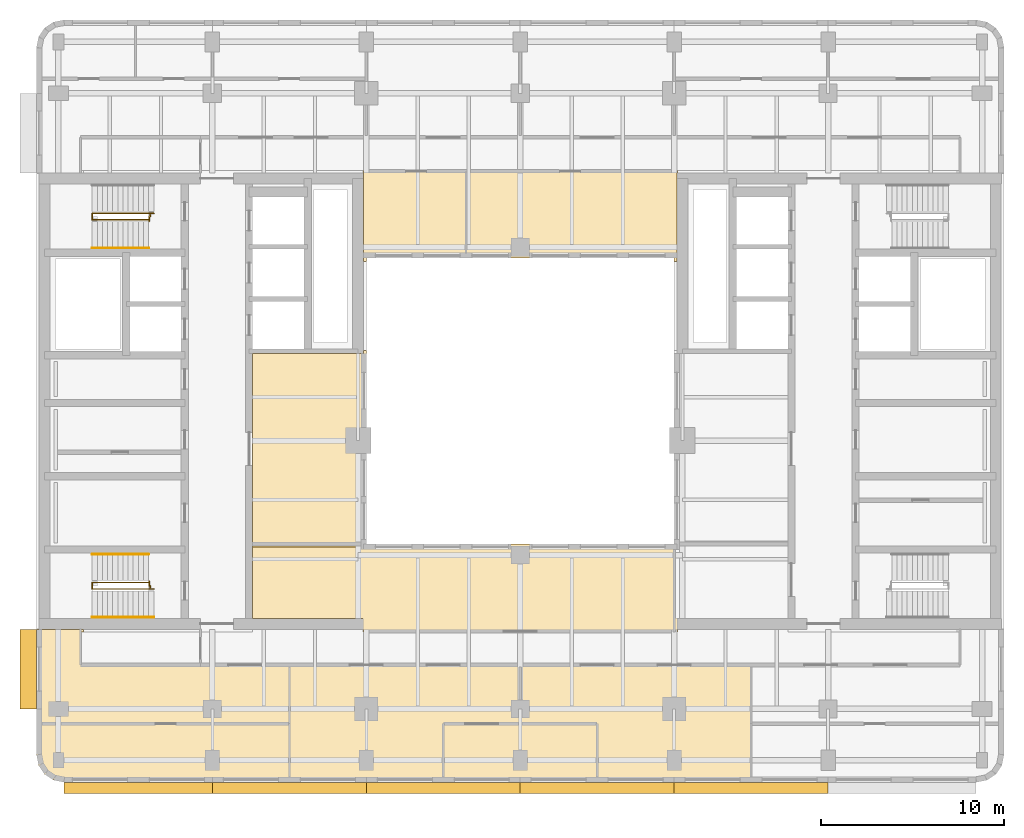
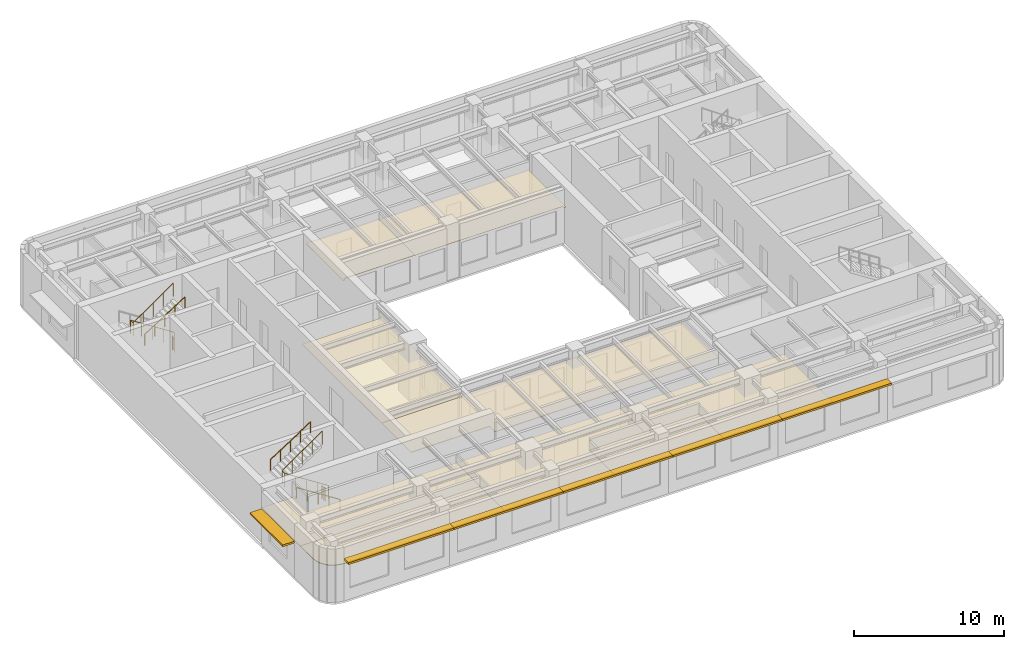
# One storey, part 9 of 11: 9 coverings, 7 railings, 6 shading devices.
"""IFC4 building model written with IfcOpenShell, lengths in metres."""

import ifcopenshell
import ifcopenshell.guid

model = None  # the IFC model being written
_history = None  # IfcOwnerHistory: only IFC2X3 demands one
_inside = {}  # id of a spatial element -> (the spatial element, [elements in it])
_under = {}  # id of a project, library or spatial element -> (it, [spatial elements below it])
_declared = {}  # id of a project -> (the project, [libraries it declares])
_typed = {}  # id of a type object -> (the type object, [elements of that type])
_made_of = {}  # id of a material, layer set ... -> (it, [elements and type objects made of it])


def new_model(schema):
    """Start an empty IFC model of exactly this schema.

    Asked for "IFC4X3", IfcOpenShell would pick the latest addendum, in which some entities
    have other attributes; the version numbers below select the first issue.
    IFC2X3 requires an IfcOwnerHistory on every rooted entity: one is made here for all.
    """
    global model, _history
    if schema == "IFC4X3":
        model = ifcopenshell.file(schema_version=(4, 3, 0, 0))
    else:
        model = ifcopenshell.file(schema=schema)
    _inside.clear()
    _under.clear()
    _declared.clear()
    _typed.clear()
    _made_of.clear()
    _history = None
    if model.schema == "IFC2X3":
        org = make("IfcOrganization", Name="unknown")
        user = make(
            "IfcPersonAndOrganization",
            ThePerson=make("IfcPerson", FamilyName="unknown"),
            TheOrganization=org,
        )
        app = make(
            "IfcApplication",
            ApplicationDeveloper=org,
            Version="unknown",
            ApplicationFullName="unknown",
            ApplicationIdentifier="unknown",
        )
        _history = make(
            "IfcOwnerHistory",
            OwningUser=user,
            OwningApplication=app,
            ChangeAction="ADDED",
            CreationDate=0,
        )
    return model


def make(cls, **values):
    """One entity of the class cls with the attributes given. An attribute that is None is left unset."""
    return model.create_entity(
        cls, **{name: value for name, value in values.items() if value is not None}
    )


def rooted(cls, **values):
    """An entity with a GlobalId (a new one), such as an element, a storey or a relation."""
    return make(cls, GlobalId=ifcopenshell.guid.new(), OwnerHistory=_history, **values)


def si_unit(unit_type, name, prefix=None):
    """IfcSIUnit, for example si_unit("LENGTHUNIT", "METRE", prefix="MILLI")."""
    return make("IfcSIUnit", UnitType=unit_type, Prefix=prefix, Name=name)


def assignment(units):
    """IfcUnitAssignment: the units of a project."""
    return None if units is None else make("IfcUnitAssignment", Units=units)


def point(xyz):
    """IfcCartesianPoint."""
    return None if xyz is None else make("IfcCartesianPoint", Coordinates=xyz)


def direction(xyz):
    """IfcDirection."""
    return None if xyz is None else make("IfcDirection", DirectionRatios=xyz)


def frame(location, z_axis=None, x_axis=None):
    """IfcAxis2Placement3D, a coordinate frame: its origin and axes. An axis left out is left unset."""
    return make(
        "IfcAxis2Placement3D",
        Location=point(location),
        Axis=direction(z_axis),
        RefDirection=direction(x_axis),
    )


def frame_2d(location, x_axis=None):
    """IfcAxis2Placement2D, a coordinate frame in the plane: its origin and x axis."""
    return make(
        "IfcAxis2Placement2D", Location=point(location), RefDirection=direction(x_axis)
    )


def origin():
    """The frame at (0, 0, 0) with its axes left unset."""
    return frame((0.0, 0.0, 0.0))


def origin_2d():
    """The frame at (0, 0) in the plane with its x axis left unset."""
    return frame_2d((0.0, 0.0))


def place(relative_to, where):
    """IfcLocalPlacement: puts the frame where relative to a parent placement (None: the world)."""
    return make(
        "IfcLocalPlacement", PlacementRelTo=relative_to, RelativePlacement=where
    )


def context(
    kind, dimensions, precision=None, world=None, true_north=None, identifier=None
):
    """IfcGeometricRepresentationContext, for example the 3D "Model" context."""
    return make(
        "IfcGeometricRepresentationContext",
        ContextIdentifier=identifier,
        ContextType=kind,
        CoordinateSpaceDimension=dimensions,
        Precision=precision,
        WorldCoordinateSystem=world,
        TrueNorth=true_north,
    )


def subcontext(parent, identifier, kind, view, scale=None):
    """IfcGeometricRepresentationSubContext, for example "Body" below "Model"."""
    return make(
        "IfcGeometricRepresentationSubContext",
        ContextIdentifier=identifier,
        ContextType=kind,
        ParentContext=parent,
        TargetScale=scale,
        TargetView=view,
    )


def project(units=None, contexts=None):
    """IfcProject with its units and contexts."""
    return rooted(
        "IfcProject",
        Name="project",
        RepresentationContexts=contexts,
        UnitsInContext=assignment(units),
    )


def spatial(cls, under=None, at=None, **own):
    """A site, building, storey or space (cls), placed at a placement, below another one or the project."""
    s = rooted(cls, ObjectPlacement=at, **own)
    if under is not None:
        _under.setdefault(under.id(), (under, []))[1].append(s)
    return s


def polyline(points):
    """IfcPolyline through the points."""
    return make("IfcPolyline", Points=[point(p) for p in points])


def profile(cls, at=None, kind="AREA", **sizes):
    """A parametric profile (cls). Its sizes go by their IFC names, for example OverallWidth=200.0."""
    return make(cls, ProfileType=kind, Position=at, **sizes)


def rectangle(**sizes):
    """IfcRectangleProfileDef."""
    return profile("IfcRectangleProfileDef", **sizes)


def circle(**sizes):
    """IfcCircleProfileDef."""
    return profile("IfcCircleProfileDef", **sizes)


def outline(outer, holes=None, kind="AREA"):
    """IfcArbitraryClosedProfileDef: a profile drawn as a closed curve; with holes, ...WithVoids."""
    if holes is None:
        return make("IfcArbitraryClosedProfileDef", ProfileType=kind, OuterCurve=outer)
    return make(
        "IfcArbitraryProfileDefWithVoids",
        ProfileType=kind,
        OuterCurve=outer,
        InnerCurves=holes,
    )


def extrude(swept, where, along, depth):
    """IfcExtrudedAreaSolid: the profile swept, set in the frame where, extruded along a direction by depth."""
    return make(
        "IfcExtrudedAreaSolid",
        SweptArea=swept,
        Position=where,
        ExtrudedDirection=direction(along),
        Depth=depth,
    )


def shape(context_of_items, identifier, shape_type, items):
    """IfcShapeRepresentation: the items that make up one representation, for example the "Body"."""
    return make(
        "IfcShapeRepresentation",
        ContextOfItems=context_of_items,
        RepresentationIdentifier=identifier,
        RepresentationType=shape_type,
        Items=items,
    )


def material(Name=None, Category=None):
    """IfcMaterial."""
    return make("IfcMaterial", Name=Name, Category=Category)


def layer(
    of_material, thickness, ventilated=None, Name=None, Category=None, Priority=None
):
    """IfcMaterialLayer: one layer of a wall or slab, of a material (None: an air gap)."""
    return make(
        "IfcMaterialLayer",
        Material=of_material,
        LayerThickness=thickness,
        IsVentilated=ventilated,
        Name=Name,
        Category=Category,
        Priority=Priority,
    )


def layer_set(layers, Name=None):
    """IfcMaterialLayerSet."""
    return make("IfcMaterialLayerSet", MaterialLayers=layers, LayerSetName=Name)


def made_of(thing, what):
    """Note that an element or type object is made of a material, layer set ...; save() writes the relation."""
    if what is not None:
        _made_of.setdefault(what.id(), (what, []))[1].append(thing)
    return thing


def type_object(cls, material=None, **own):
    """A type object (cls), such as IfcWallType, which elements share."""
    return made_of(rooted(cls, **own), material)


def element(
    cls,
    number,
    at=None,
    inside=None,
    cuts=None,
    type_object=None,
    material=None,
    context=None,
    identifier="Body",
    shape_type=None,
    held_by="IfcProductDefinitionShape",
    body=None,
    shapes=None,
    **own,
):
    """One element of the class cls, such as IfcWall. Its Tag is "e" and its number.

    at: its placement. inside: the storey or other place that contains it. cuts: it is an
    opening in that element (IfcRelVoidsElement). A single representation is given by context,
    identifier, shape_type and body (its items); several are given by shapes. held_by: the class
    of the entity that holds the representations. save() writes the other relations.
    """
    e = rooted(cls, Tag="e%d" % number, ObjectPlacement=at, **own)
    if body is not None:
        shapes = [shape(context, identifier, shape_type, body)]
    if shapes is not None:
        e.Representation = make(held_by, Representations=shapes)
    if inside is not None:
        _inside.setdefault(inside.id(), (inside, []))[1].append(e)
    if cuts is not None:
        rooted(
            "IfcRelVoidsElement", RelatingBuildingElement=cuts, RelatedOpeningElement=e
        )
    if type_object is not None:
        _typed.setdefault(type_object.id(), (type_object, []))[1].append(e)
    return made_of(e, material)


def aggregate(whole, parts):
    """IfcRelAggregates: a whole, such as a stair, and the parts it consists of."""
    return rooted("IfcRelAggregates", RelatingObject=whole, RelatedObjects=parts)


def save(model, path):
    """Write the relations noted so far, then the file.

    IfcRelAggregates (storeys below a building ...), IfcRelContainedInSpatialStructure (elements
    in a storey), IfcRelDefinesByType, IfcRelAssociatesMaterial and IfcRelDeclares: one each for
    every whole, place, type object, material and project.
    """
    for whole, parts in _under.values():
        aggregate(whole, parts)
    for where, things in _inside.values():
        rooted(
            "IfcRelContainedInSpatialStructure",
            RelatedElements=things,
            RelatingStructure=where,
        )
    for kind, things in _typed.values():
        rooted("IfcRelDefinesByType", RelatedObjects=things, RelatingType=kind)
    for what, things in _made_of.values():
        rooted("IfcRelAssociatesMaterial", RelatedObjects=things, RelatingMaterial=what)
    for by, libraries in _declared.values():
        rooted("IfcRelDeclares", RelatingContext=by, RelatedDefinitions=libraries)
    model.write(path)


model = new_model("IFC4")

# Units and contexts
model_context = context("Model", 3, precision=1e-05, world=origin(), true_north=direction((0.0, 1.0)))
body_context = subcontext(model_context, "Body", "Model", "MODEL_VIEW")
ifc_project = project(units=[si_unit("LENGTHUNIT", "METRE"), si_unit("AREAUNIT", "SQUARE_METRE"), si_unit("VOLUMEUNIT", "CUBIC_METRE"), si_unit("PLANEANGLEUNIT", "RADIAN"), si_unit("MASSUNIT", "GRAM", prefix="KILO")], contexts=[model_context])

# Site, building, storey
site_placement = place(None, origin())
site = spatial("IfcSite", under=ifc_project, at=site_placement, CompositionType="ELEMENT")
building_placement = place(site_placement, origin())
building = spatial("IfcBuilding", under=site, at=building_placement, Name="Claustro Exchange Tower", CompositionType="ELEMENT")
storey_placement = place(building_placement, frame((0.0, 0.0, 268.199951171875)))
storey = spatial("IfcBuildingStorey", under=building, at=storey_placement, Name="L61", CompositionType="ELEMENT", Elevation=268.199951171875)

# Coverings
ifc_material_1 = material(Name="Gypsum board ceiling", Category="gypsum board")
ifc_layer_1 = layer(ifc_material_1, 0.02490234375)
ifc_layer_set_1 = layer_set([ifc_layer_1], Name="Gypsum board ceiling")
covering_type_1 = type_object("IfcCoveringType", Name="CL2 plasterboard ceiling", PredefinedType="CEILING", material=ifc_layer_set_1)
covering_1_placement = place(storey_placement, frame((0.0, 0.0, 3.0)))
element("IfcCovering", 1, at=covering_1_placement, inside=storey, type_object=covering_type_1, Name="Ceiling CL2 L61-15", PredefinedType="CEILING", context=body_context, shape_type="SweptSolid", body=[
    extrude(outline(polyline([(33.60009765625, 33.0), (33.60009765625, 32.830078125), (33.75, 32.830078125), (33.75, 37.64990234375), (33.77001953125, 37.64990234375), (33.77001953125, 37.800048828125), (22.239990234375, 37.800048828125), (22.239990234375, 33.0), (33.60009765625, 33.0)])), origin(), (0.0, 0.0, 1.0), 0.025146484375),
])
ifc_material_2 = material(Name="Oak slats on acoustic backing", Category="wood")
ifc_layer_2 = layer(ifc_material_2, 0.050048828125)
ifc_layer_set_2 = layer_set([ifc_layer_2], Name="Oak slats on acoustic backing")
covering_type_2 = type_object("IfcCoveringType", Name="CL3 timber slat ceiling", PredefinedType="CEILING", material=ifc_layer_set_2)
covering_2_placement = place(storey_placement, frame((0.0, 0.0, 3.0)))
element("IfcCovering", 2, at=covering_2_placement, inside=storey, type_object=covering_type_2, Name="Ceiling CL3 L61-01", PredefinedType="CEILING", context=body_context, shape_type="SweptSolid", body=[
    extrude(outline(polyline([(-1.085693359375, 5.325927734375), (-0.7607421875, 4.83935546875), (-0.27392578125, 4.51416015625), (0.300048828125, 4.39990234375), (12.60009765625, 4.39990234375), (12.60009765625, 7.60009765625), (-1.199951171875, 7.60009765625), (-1.199951171875, 5.89990234375), (-1.085693359375, 5.325927734375)])), origin(), (0.0, 0.0, 1.0), 0.050048828125),
])
covering_3_placement = place(storey_placement, frame((0.0, 0.0, 3.0)))
element("IfcCovering", 3, at=covering_3_placement, inside=storey, type_object=covering_type_2, Name="Ceiling CL3 L61-02", PredefinedType="CEILING", context=body_context, shape_type="SweptSolid", body=[
    extrude(outline(polyline([(21.0, 4.39990234375), (29.39990234375, 4.39990234375), (29.39990234375, 7.60009765625), (21.0, 7.60009765625), (21.0, 4.39990234375)])), origin(), (0.0, 0.0, 1.0), 0.050048828125),
])
covering_4_placement = place(storey_placement, frame((0.0, 0.0, 3.0)))
element("IfcCovering", 4, at=covering_4_placement, inside=storey, type_object=covering_type_2, Name="Ceiling CL3 L61-04", PredefinedType="CEILING", context=body_context, shape_type="SweptSolid", body=[
    extrude(outline(polyline([(12.60009765625, 4.39990234375), (21.0, 4.39990234375), (21.0, 7.60009765625), (25.199951171875, 7.60009765625), (25.199951171875, 10.800048828125), (12.60009765625, 10.800048828125), (12.60009765625, 7.60009765625), (12.60009765625, 4.39990234375)])), origin(), (0.0, 0.0, 1.0), 0.050048828125),
])
covering_5_placement = place(storey_placement, frame((0.0, 0.0, 3.0)))
element("IfcCovering", 5, at=covering_5_placement, inside=storey, type_object=covering_type_2, Name="Ceiling CL3 L61-05", PredefinedType="CEILING", context=body_context, shape_type="SweptSolid", body=[
    extrude(outline(polyline([(29.39990234375, 4.39990234375), (37.800048828125, 4.39990234375), (37.800048828125, 7.60009765625), (37.800048828125, 10.800048828125), (25.199951171875, 10.800048828125), (25.199951171875, 7.60009765625), (29.39990234375, 7.60009765625), (29.39990234375, 4.39990234375)])), origin(), (0.0, 0.0, 1.0), 0.050048828125),
])
covering_6_placement = place(storey_placement, frame((0.0, 0.0, 3.0)))
element("IfcCovering", 6, at=covering_6_placement, inside=storey, type_object=covering_type_2, Name="Ceiling CL3 L61-06", PredefinedType="CEILING", context=body_context, shape_type="SweptSolid", body=[
    extrude(outline(polyline([(1.199951171875, 10.800048828125), (1.199951171875, 12.60009765625), (1.3701171875, 12.60009765625), (1.3701171875, 12.75), (-1.050048828125, 12.75), (-1.050048828125, 12.77001953125), (-1.199951171875, 12.77001953125), (-1.199951171875, 7.60009765625), (12.60009765625, 7.60009765625), (12.60009765625, 10.800048828125), (1.199951171875, 10.800048828125)])), origin(), (0.0, 0.0, 1.0), 0.050048828125),
])
covering_7_placement = place(storey_placement, frame((0.0, 0.0, 3.0)))
element("IfcCovering", 7, at=covering_7_placement, inside=storey, type_object=covering_type_2, Name="Ceiling CL3 L61-10", PredefinedType="CEILING", context=body_context, shape_type="SweptSolid", body=[
    extrude(outline(polyline([(33.60009765625, 17.39990234375), (16.800048828125, 17.39990234375), (16.800048828125, 17.570068359375), (10.60009765625, 17.570068359375), (10.60009765625, 13.330078125), (16.6298828125, 13.330078125), (16.6298828125, 12.60009765625), (33.77001953125, 12.60009765625), (33.77001953125, 17.570068359375), (33.60009765625, 17.570068359375), (33.60009765625, 17.39990234375)])), origin(), (0.0, 0.0, 1.0), 0.050048828125),
])
covering_8_placement = place(storey_placement, frame((0.0, 0.0, 3.0)))
element("IfcCovering", 8, at=covering_8_placement, inside=storey, type_object=covering_type_2, Name="Ceiling CL3 L61-12", PredefinedType="CEILING", context=body_context, shape_type="SweptSolid", body=[
    extrude(outline(polyline([(10.60009765625, 27.800048828125), (10.60009765625, 17.22998046875), (16.800048828125, 17.22998046875), (16.800048828125, 27.969970703125), (16.64990234375, 27.969970703125), (16.64990234375, 27.800048828125), (10.60009765625, 27.800048828125)])), origin(), (0.0, 0.0, 1.0), 0.050048828125),
])
covering_9_placement = place(storey_placement, frame((0.0, 0.0, 3.0)))
element("IfcCovering", 9, at=covering_9_placement, inside=storey, type_object=covering_type_2, Name="Ceiling CL3 L61-14", PredefinedType="CEILING", context=body_context, shape_type="SweptSolid", body=[
    extrude(outline(polyline([(22.239990234375, 37.800048828125), (16.6298828125, 37.800048828125), (16.6298828125, 37.64990234375), (16.64990234375, 37.64990234375), (16.64990234375, 32.830078125), (16.800048828125, 32.830078125), (16.800048828125, 33.0), (22.239990234375, 33.0), (22.239990234375, 37.800048828125)])), origin(), (0.0, 0.0, 1.0), 0.050048828125),
])

# Railings
ifc_material_3 = material(Name="Steel balustrade, painted", Category="steel")
railing_type_1 = type_object("IfcRailingType", Name="GR2 1100 steel stair guard", PredefinedType="GUARDRAIL", material=ifc_material_3)
railing_1_placement = place(storey_placement, frame((5.199951171875, 14.949951171875, 0.179931640625)))
element("IfcRailing", 10, at=railing_1_placement, inside=storey, type_object=railing_type_1, Name="Stair well guard GR2 stair STWA L61", PredefinedType="GUARDRAIL", context=body_context, shape_type="SweptSolid", body=[
    extrude(circle(Radius=0.02392578125, at=origin_2d()), frame((0.0, 0.0, 1.076171875), z_axis=(-0.841150671818, 0.0, 0.540800838849), x_axis=(0.0, -1.0, 0.0)), (0.0, 0.0, 1.0), 3.994384765625),
    extrude(circle(Radius=0.02392578125, at=origin_2d()), frame((-3.35986328125, 0.0, 3.236328125), z_axis=(0.0, 1.0, 0.0), x_axis=(-1.0, 0.0, 0.0)), (0.0, 0.0, 1.0), 0.35009765625),
    extrude(circle(Radius=0.02392578125, at=origin_2d()), frame((-3.35986328125, 0.35009765625, 3.236328125), z_axis=(0.818728512145, 0.0, 0.574180828137), x_axis=(0.0, 1.0, 0.0)), (0.0, 0.0, 1.0), 3.76171875),
    extrude(circle(Radius=0.02099609375, at=origin_2d()), origin(), (0.0, 0.0, 1.0), 1.052001953125),
    extrude(circle(Radius=0.02099609375, at=origin_2d()), frame((-0.83984375, 0.0, 0.5400390625)), (0.0, 0.0, 1.0), 1.052001953125),
    extrude(circle(Radius=0.02099609375, at=origin_2d()), frame((-1.679931640625, 0.0, 1.080078125)), (0.0, 0.0, 1.0), 1.052001953125),
    extrude(circle(Radius=0.02099609375, at=origin_2d()), frame((-2.52001953125, 0.0, 1.6201171875)), (0.0, 0.0, 1.0), 1.052001953125),
    extrude(circle(Radius=0.02099609375, at=origin_2d()), frame((-3.35986328125, 0.0, 2.16015625)), (0.0, 0.0, 1.0), 1.052001953125),
    extrude(circle(Radius=0.02099609375, at=origin_2d()), frame((-3.35986328125, 0.35009765625, 2.16015625)), (0.0, 0.0, 1.0), 1.052001953125),
    extrude(circle(Radius=0.02099609375, at=origin_2d()), frame((-2.58984375, 0.35009765625, 2.7001953125)), (0.0, 0.0, 1.0), 1.052001953125),
    extrude(circle(Radius=0.02099609375, at=origin_2d()), frame((-1.81982421875, 0.35009765625, 3.240234375)), (0.0, 0.0, 1.0), 1.052001953125),
    extrude(circle(Radius=0.02099609375, at=origin_2d()), frame((-1.050048828125, 0.35009765625, 3.780029296875)), (0.0, 0.0, 1.0), 1.052001953125),
    extrude(circle(Radius=0.02099609375, at=origin_2d()), frame((-0.280029296875, 0.35009765625, 4.320068359375)), (0.0, 0.0, 1.0), 1.052001953125),
])
railing_2_placement = place(storey_placement, frame((5.0, 15.02001953125, 0.0)))
element("IfcRailing", 11, at=railing_2_placement, inside=storey, type_object=railing_type_1, Name="Stair guard GR2 STWA L61", PredefinedType="GUARDRAIL", context=body_context, shape_type="SweptSolid", body=[
    extrude(circle(Radius=0.02392578125, at=origin_2d()), frame((0.0, 0.0, 1.076171875), z_axis=(0.0, 1.0, 0.0), x_axis=(-1.0, 0.0, 0.0)), (0.0, 0.0, 1.0), 0.10498046875),
    extrude(circle(Radius=0.02392578125, at=origin_2d()), frame((0.0, 0.10498046875, 1.076171875), z_axis=(-1.0, 0.0, 0.0), x_axis=(0.0, -1.0, 0.0)), (0.0, 0.0, 1.0), 0.054931640625),
    extrude(circle(Radius=0.02392578125, at=origin_2d()), frame((-0.054931640625, 0.10498046875, 1.076171875), z_axis=(0.0, 1.0, 0.0), x_axis=(-1.0, 0.0, 0.0)), (0.0, 0.0, 1.0), 0.2548828125),
    extrude(circle(Radius=0.02099609375, at=origin_2d()), origin(), (0.0, 0.0, 1.0), 1.052001953125),
    extrude(circle(Radius=0.02099609375, at=origin_2d()), frame((0.0, 0.10498046875, 0.0)), (0.0, 0.0, 1.0), 1.052001953125),
    extrude(circle(Radius=0.02099609375, at=origin_2d()), frame((-0.054931640625, 0.10498046875, 0.0)), (0.0, 0.0, 1.0), 1.052001953125),
    extrude(circle(Radius=0.02099609375, at=origin_2d()), frame((-0.054931640625, 0.35986328125, 0.0)), (0.0, 0.0, 1.0), 1.052001953125),
])
railing_3_placement = place(storey_placement, frame((5.199951171875, 35.449951171875, 0.179931640625)))
element("IfcRailing", 12, at=railing_3_placement, inside=storey, type_object=railing_type_1, Name="Stair well guard GR2 stair STWB L61", PredefinedType="GUARDRAIL", context=body_context, shape_type="SweptSolid", body=[
    extrude(circle(Radius=0.02392578125, at=origin_2d()), frame((0.0, 0.0, 1.076171875), z_axis=(-0.841150671818, 0.0, 0.540800838849), x_axis=(0.0, -1.0, 0.0)), (0.0, 0.0, 1.0), 3.994384765625),
    extrude(circle(Radius=0.02392578125, at=origin_2d()), frame((-3.35986328125, 0.0, 3.236328125), z_axis=(0.0, -1.0, 0.0), x_axis=(1.0, 0.0, 0.0)), (0.0, 0.0, 1.0), 0.349853515625),
    extrude(circle(Radius=0.02392578125, at=origin_2d()), frame((-3.35986328125, -0.349853515625, 3.236328125), z_axis=(0.818728512145, 0.0, 0.574180828137), x_axis=(0.0, 1.0, 0.0)), (0.0, 0.0, 1.0), 3.76171875),
    extrude(circle(Radius=0.02099609375, at=origin_2d()), origin(), (0.0, 0.0, 1.0), 1.052001953125),
    extrude(circle(Radius=0.02099609375, at=origin_2d()), frame((-0.83984375, 0.0, 0.5400390625)), (0.0, 0.0, 1.0), 1.052001953125),
    extrude(circle(Radius=0.02099609375, at=origin_2d()), frame((-1.679931640625, 0.0, 1.080078125)), (0.0, 0.0, 1.0), 1.052001953125),
    extrude(circle(Radius=0.02099609375, at=origin_2d()), frame((-2.52001953125, 0.0, 1.6201171875)), (0.0, 0.0, 1.0), 1.052001953125),
    extrude(circle(Radius=0.02099609375, at=origin_2d()), frame((-3.35986328125, 0.0, 2.16015625)), (0.0, 0.0, 1.0), 1.052001953125),
    extrude(circle(Radius=0.02099609375, at=origin_2d()), frame((-3.35986328125, -0.349853515625, 2.16015625)), (0.0, 0.0, 1.0), 1.052001953125),
    extrude(circle(Radius=0.02099609375, at=origin_2d()), frame((-2.58984375, -0.349853515625, 2.7001953125)), (0.0, 0.0, 1.0), 1.052001953125),
    extrude(circle(Radius=0.02099609375, at=origin_2d()), frame((-1.81982421875, -0.349853515625, 3.240234375)), (0.0, 0.0, 1.0), 1.052001953125),
    extrude(circle(Radius=0.02099609375, at=origin_2d()), frame((-1.050048828125, -0.349853515625, 3.780029296875)), (0.0, 0.0, 1.0), 1.052001953125),
    extrude(circle(Radius=0.02099609375, at=origin_2d()), frame((-0.280029296875, -0.349853515625, 4.320068359375)), (0.0, 0.0, 1.0), 1.052001953125),
])
railing_4_placement = place(storey_placement, frame((5.0, 35.3798828125, 0.0)))
element("IfcRailing", 13, at=railing_4_placement, inside=storey, type_object=railing_type_1, Name="Stair guard GR2 STWB L61", PredefinedType="GUARDRAIL", context=body_context, shape_type="SweptSolid", body=[
    extrude(circle(Radius=0.02392578125, at=origin_2d()), frame((0.0, 0.0, 1.076171875), z_axis=(0.0, -1.0, 0.0), x_axis=(1.0, 0.0, 0.0)), (0.0, 0.0, 1.0), 0.10498046875),
    extrude(circle(Radius=0.02392578125, at=origin_2d()), frame((0.0, -0.10498046875, 1.076171875), z_axis=(-1.0, 0.0, 0.0), x_axis=(0.0, -1.0, 0.0)), (0.0, 0.0, 1.0), 0.054931640625),
    extrude(circle(Radius=0.02392578125, at=origin_2d()), frame((-0.054931640625, -0.10498046875, 1.076171875), z_axis=(0.0, -1.0, 0.0), x_axis=(1.0, 0.0, 0.0)), (0.0, 0.0, 1.0), 0.2548828125),
    extrude(circle(Radius=0.02099609375, at=origin_2d()), origin(), (0.0, 0.0, 1.0), 1.052001953125),
    extrude(circle(Radius=0.02099609375, at=origin_2d()), frame((0.0, -0.10498046875, 0.0)), (0.0, 0.0, 1.0), 1.052001953125),
    extrude(circle(Radius=0.02099609375, at=origin_2d()), frame((-0.054931640625, -0.10498046875, 0.0)), (0.0, 0.0, 1.0), 1.052001953125),
    extrude(circle(Radius=0.02099609375, at=origin_2d()), frame((-0.054931640625, -0.35986328125, 0.0)), (0.0, 0.0, 1.0), 1.052001953125),
])
ifc_material_4 = material(Name="Stainless steel tube", Category="steel")
railing_type_2 = type_object("IfcRailingType", Name="HR1 900 stair handrail", PredefinedType="HANDRAIL", material=ifc_material_4)
railing_5_placement = place(storey_placement, frame((5.199951171875, 13.409912109375, 0.179931640625)))
element("IfcRailing", 14, at=railing_5_placement, inside=storey, type_object=railing_type_2, Name="Handrail HR1 stair STWA L61", PredefinedType="HANDRAIL", context=body_context, shape_type="SweptSolid", body=[
    extrude(circle(Radius=0.02392578125, at=origin_2d()), frame((0.0, 0.0, 0.8759765625), z_axis=(-0.841150671818, 0.0, 0.540800838849), x_axis=(0.0, -1.0, 0.0)), (0.0, 0.0, 1.0), 3.994384765625),
    extrude(circle(Radius=0.02099609375, at=origin_2d()), origin(), (0.0, 0.0, 1.0), 0.851806640625),
    extrude(circle(Radius=0.02099609375, at=origin_2d()), frame((-0.83984375, 0.0, 0.5400390625)), (0.0, 0.0, 1.0), 0.851806640625),
    extrude(circle(Radius=0.02099609375, at=origin_2d()), frame((-1.679931640625, 0.0, 1.080078125)), (0.0, 0.0, 1.0), 0.851806640625),
    extrude(circle(Radius=0.02099609375, at=origin_2d()), frame((-2.52001953125, 0.0, 1.6201171875)), (0.0, 0.0, 1.0), 0.851806640625),
    extrude(circle(Radius=0.02099609375, at=origin_2d()), frame((-3.35986328125, 0.0, 2.16015625)), (0.0, 0.0, 1.0), 0.851806640625),
])
for number, where, name in (
    (15, (1.840087890625, 16.840087890625, 2.52001953125), "Handrail HR1 stair STWA L61"),
    (16, (1.840087890625, 33.56005859375, 2.52001953125), "Handrail HR1 stair STWB L61"),
):
    element("IfcRailing", number, at=place(storey_placement, frame(where)), inside=storey, type_object=railing_type_2, Name=name, PredefinedType="HANDRAIL", context=body_context, shape_type="SweptSolid", body=[
        extrude(circle(Radius=0.02392578125, at=origin_2d()), frame((0.0, 0.0, 0.8759765625), z_axis=(0.841167642724, 0.0, 0.540774441735), x_axis=(0.0, 1.0, 0.0)), (0.0, 0.0, 1.0), 3.661376953125),
        extrude(circle(Radius=0.02099609375, at=origin_2d()), origin(), (0.0, 0.0, 1.0), 0.851806640625),
        extrude(circle(Radius=0.02099609375, at=origin_2d()), frame((0.77001953125, 0.0, 0.4951171875)), (0.0, 0.0, 1.0), 0.851806640625),
        extrude(circle(Radius=0.02099609375, at=origin_2d()), frame((1.5400390625, 0.0, 0.989990234375)), (0.0, 0.0, 1.0), 0.851806640625),
        extrude(circle(Radius=0.02099609375, at=origin_2d()), frame((2.309814453125, 0.0, 1.48486328125)), (0.0, 0.0, 1.0), 0.851806640625),
        extrude(circle(Radius=0.02099609375, at=origin_2d()), frame((3.079833984375, 0.0, 1.97998046875)), (0.0, 0.0, 1.0), 0.851806640625),
    ])

# Shading devices
ifc_material_5 = material(Name="Concrete HA-40 (C40/50), precast, white cement, acid-etched", Category="concrete")
ifc_layer_3 = layer(ifc_material_5, 0.14990234375)
ifc_layer_set_3 = layer_set([ifc_layer_3], Name="Concrete HA-40 (C40/50), precast, white cement, acid-etched")
shading_device_type_1 = type_object("IfcShadingDeviceType", Name="SS1 600 precast concrete SUNSHADE", PredefinedType="SHUTTER", material=ifc_layer_set_3)
for number, where, z_axis, x_axis, name in (
    (17, (37.800048828125, 4.10009765625, 3.300048828125), (0.0, 0.0, 1.0), (-1.0, 0.0, 0.0), "Precast SUNSHADE SS1 L61"),
    (18, (29.39990234375, 4.10009765625, 3.300048828125), (0.0, 0.0, 1.0), (-1.0, 0.0, 0.0), "Precast SUNSHADE SS1 L61"),
    (19, (21.0, 4.10009765625, 3.300048828125), (0.0, 0.0, 1.0), (-1.0, 0.0, 0.0), "Precast SUNSHADE SS1 L61"),
    (20, (12.60009765625, 4.10009765625, 3.300048828125), (0.0, 0.0, 1.0), (-1.0, 0.0, 0.0), "Precast SUNSHADE SS1 L61"),
):
    element("IfcShadingDevice", number, at=place(storey_placement, frame(where, z_axis=z_axis, x_axis=x_axis)), inside=storey, type_object=shading_device_type_1, Name=name, PredefinedType="SHUTTER", context=body_context, shape_type="SweptSolid", body=[
        extrude(rectangle(XDim=8.39990234375, YDim=0.60009765625, at=origin_2d()), origin(), (0.0, 0.0, 1.0), 0.14990234375),
    ])
shading_device_1_placement = place(storey_placement, frame((4.357421875, 4.10009765625, 3.300048828125), z_axis=(0.0, 0.0, 1.0), x_axis=(-1.0, 0.0, 0.0)))
element("IfcShadingDevice", 21, at=shading_device_1_placement, inside=storey, type_object=shading_device_type_1, Name="Precast SUNSHADE SS1 L61", PredefinedType="SHUTTER", context=body_context, shape_type="SweptSolid", body=[
    extrude(rectangle(XDim=8.085205078125, YDim=0.60009765625, at=origin_2d()), origin(), (0.0, 0.0, 1.0), 0.14990234375),
])
ifc_material_6 = material(Name="Concrete HA-40 (C40/50), precast, white cement, acid-etched", Category="concrete")
ifc_layer_4 = layer(ifc_material_6, 0.14990234375)
ifc_layer_set_4 = layer_set([ifc_layer_4], Name="Concrete HA-40 (C40/50), precast, white cement, acid-etched")
shading_device_type_2 = type_object("IfcShadingDeviceType", Name="SS2 900 precast concrete SUNSHADE", PredefinedType="SHUTTER", material=ifc_layer_set_4)
shading_device_2_placement = place(storey_placement, frame((-1.64990234375, 10.574951171875, 2.800048828125), z_axis=(0.0, 0.0, 1.0), x_axis=(0.0, 1.0, 0.0)))
element("IfcShadingDevice", 22, at=shading_device_2_placement, inside=storey, type_object=shading_device_type_2, Name="Precast SUNSHADE SS2 L61", PredefinedType="SHUTTER", context=body_context, shape_type="SweptSolid", body=[
    extrude(rectangle(XDim=4.35009765625, YDim=0.89990234375, at=origin_2d()), origin(), (0.0, 0.0, 1.0), 0.14990234375),
])

save(model, "model.ifc")
